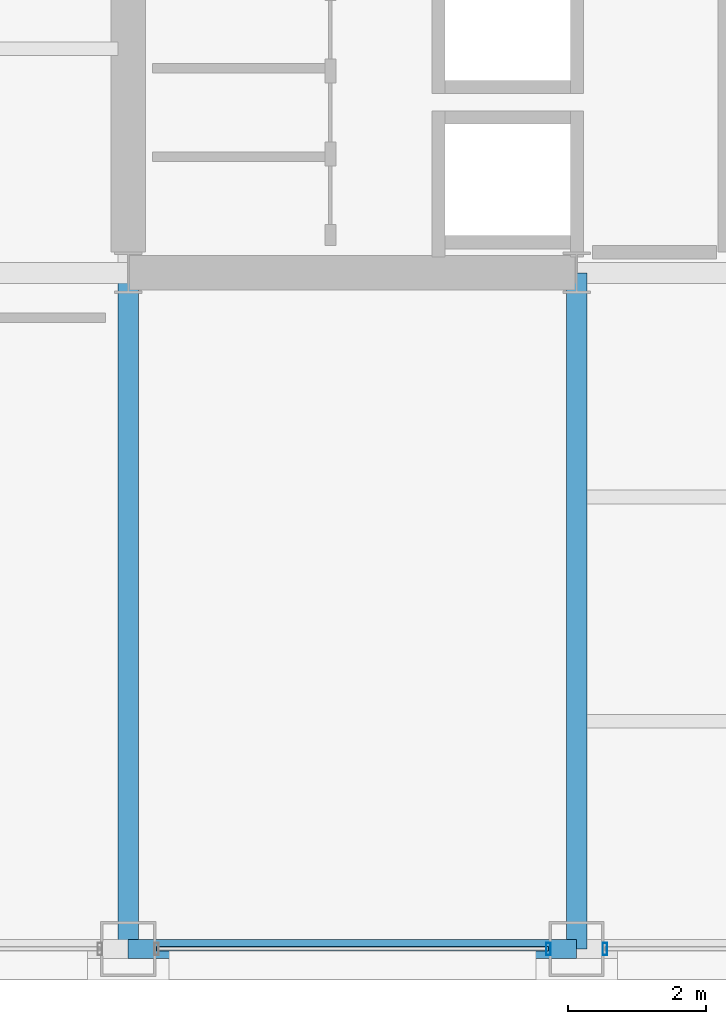
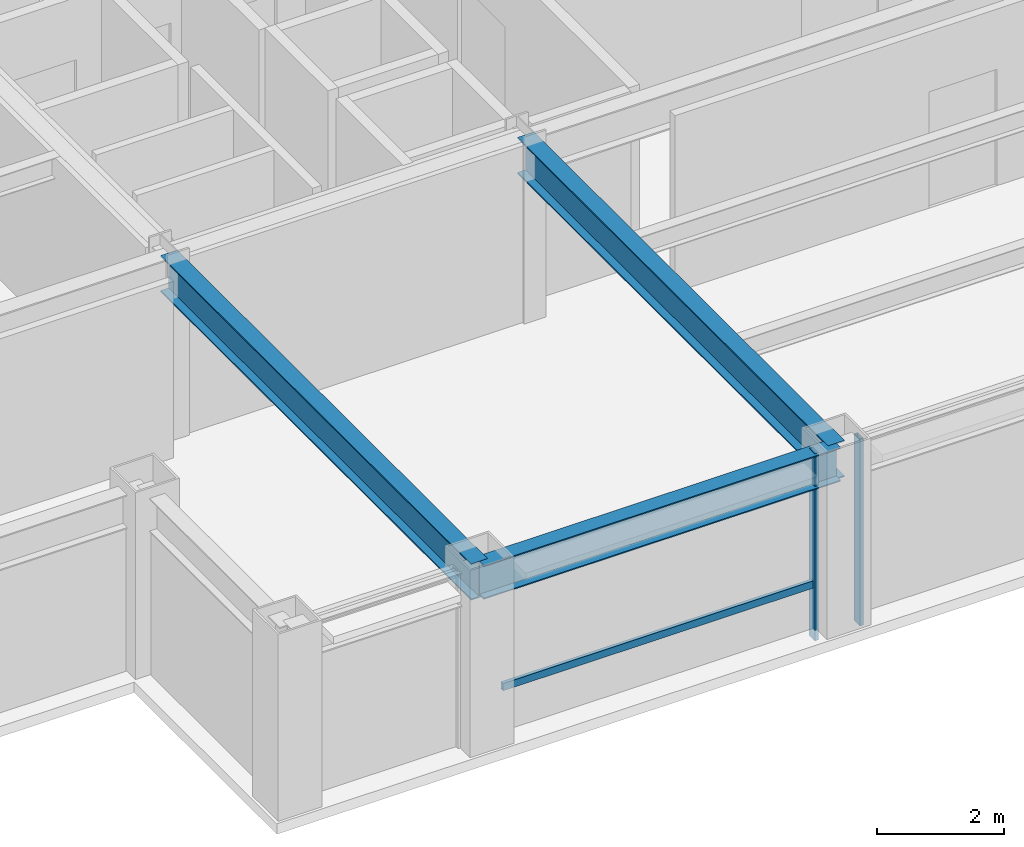
# One storey, part 3 of 29: 3 beams, 3 members, 2 elements without a shape of their own.
"""IFC4 building model written with IfcOpenShell, lengths in metres."""

from ifc_helpers import new_model, si_unit, direction, frame, origin, origin_2d, place, context, subcontext, project, spatial, hollow_rectangle, i_section, extrude, material, layer, layer_set, material_profile, profile_set, type_object, element, aggregate, save


model = new_model("IFC4")

# Units and contexts
model_context = context("Model", 3, precision=1e-05, world=origin(), true_north=direction((0.0, 1.0)))
body_context = subcontext(model_context, "Body", "Model", "MODEL_VIEW")
ifc_project = project(units=[si_unit("LENGTHUNIT", "METRE"), si_unit("AREAUNIT", "SQUARE_METRE"), si_unit("VOLUMEUNIT", "CUBIC_METRE"), si_unit("PLANEANGLEUNIT", "RADIAN"), si_unit("MASSUNIT", "GRAM", prefix="KILO")], contexts=[model_context])

# Site, building, storey
site_placement = place(None, origin())
site = spatial("IfcSite", under=ifc_project, at=site_placement, CompositionType="ELEMENT")
building_placement = place(site_placement, origin())
building = spatial("IfcBuilding", under=site, at=building_placement, Name="Brelmoor Portico Tower", CompositionType="ELEMENT")
storey_placement = place(building_placement, frame((0.0, 0.0, 135.0)))
storey = spatial("IfcBuildingStorey", under=building, at=storey_placement, Name="L35", CompositionType="ELEMENT", Elevation=135.0)

# Beams
ifc_material_1 = material(Name="Steel Q355B", Category="steel")
ifc_material_profile_1 = material_profile(ifc_material_1, i_section(OverallWidth=0.300048828125, OverallDepth=0.699951171875, WebThickness=0.012939453125, FlangeThickness=0.02392578125, at=origin_2d()), Name="HN 700x300x13x24")
ifc_profile_set_1 = profile_set([ifc_material_profile_1], Name="Steel Q355B")
beam_type_1 = type_object("IfcBeamType", Name="BM-PG-700", PredefinedType="BEAM", material=ifc_profile_set_1)
for number, where, z_axis, x_axis, name in (
    (1, (-14.550048828125, -19.550048828125, 3.050048828125), (0.0, 1.0, 0.0), (-1.0, 0.0, 0.0), "L35 Primary Floor Girder PG-01"),
    (2, (-8.050048828125, -19.550048828125, 3.050048828125), (0.0, 1.0, 0.0), (-1.0, 0.0, 0.0), "L35 Primary Floor Girder PG-05"),
):
    element("IfcBeam", number, at=place(storey_placement, frame(where, z_axis=z_axis, x_axis=x_axis)), inside=storey, type_object=beam_type_1, Name=name, PredefinedType="BEAM", context=body_context, shape_type="SweptSolid", body=[
        extrude(i_section(OverallWidth=0.300048828125, OverallDepth=0.699951171875, WebThickness=0.012939453125, FlangeThickness=0.02392578125, at=origin_2d()), origin(), (0.0, 0.0, 1.0), 9.800048828125),
    ])
ifc_material_profile_2 = material_profile(ifc_material_1, i_section(OverallWidth=0.280029296875, OverallDepth=0.64990234375, WebThickness=0.012939453125, FlangeThickness=0.02197265625, at=origin_2d()), Name="HN 650x280x13x22")
ifc_profile_set_2 = profile_set([ifc_material_profile_2], Name="Steel Q355B")
beam_type_2 = type_object("IfcBeamType", Name="BM-SP-650", PredefinedType="SPANDREL", material=ifc_profile_set_2)
beam_placement = place(storey_placement, frame((-14.550048828125, -19.550048828125, 3.074951171875), z_axis=(1.0, 0.0, 0.0), x_axis=(0.0, 1.0, 0.0)))
element("IfcBeam", 3, at=beam_placement, inside=storey, type_object=beam_type_2, Name="L35 Perimeter Spandrel Beam SP-02", PredefinedType="SPANDREL", context=body_context, shape_type="SweptSolid", body=[
    extrude(i_section(OverallWidth=0.280029296875, OverallDepth=0.64990234375, WebThickness=0.012939453125, FlangeThickness=0.02197265625, at=origin_2d()), origin(), (0.0, 0.0, 1.0), 6.5),
])

# Curtain wall, member
ifc_material_2 = material(Name="Anodised Aluminium Alloy 6063-T6", Category="aluminium")
ifc_layer_1 = layer(ifc_material_2, 0.179931640625)
ifc_layer_set_1 = layer_set([ifc_layer_1], Name="Anodised Aluminium Alloy 6063-T6")
curtain_wall_type_1 = type_object("IfcCurtainWallType", Name="CW-TOWER-Z2", PredefinedType="NOTDEFINED", material=ifc_layer_set_1)
curtain_wall_1_placement = place(storey_placement, origin())
curtain_wall_1 = element("IfcCurtainWall", 4, at=curtain_wall_1_placement, inside=storey, type_object=curtain_wall_type_1, Name="L35 Curtain Wall CW-L35-01-2", PredefinedType="NOTDEFINED")
ifc_material_profile_3 = material_profile(ifc_material_2, hollow_rectangle(XDim=0.06494140625, YDim=0.179931640625, WallThickness=0.00390625, at=origin_2d()), Name="ALU MULLION 65x180")
ifc_profile_set_3 = profile_set([ifc_material_profile_3], Name="Anodised Aluminium Alloy 6063-T6")
member_type_1 = type_object("IfcMemberType", Name="MB-CW-MULL-180", PredefinedType="MULLION", material=ifc_profile_set_3)
member_1_placement = place(storey_placement, frame((-8.4599609375, -19.550048828125, -0.199951171875), z_axis=(0.0, 0.0, 1.0), x_axis=(1.0, 0.0, 0.0)))
member_1 = element("IfcMember", 5, at=member_1_placement, type_object=member_type_1, Name="CW-L35-01-2 Mullion 01", PredefinedType="MULLION", context=body_context, shape_type="SweptSolid", body=[
    extrude(hollow_rectangle(XDim=0.06494140625, YDim=0.179931640625, WallThickness=0.00390625, at=origin_2d()), origin(), (0.0, 0.0, 1.0), 3.599853515625),
])

ifc_layer_2 = layer(ifc_material_2, 0.179931640625)
ifc_layer_set_2 = layer_set([ifc_layer_2], Name="Anodised Aluminium Alloy 6063-T6")
curtain_wall_type_2 = type_object("IfcCurtainWallType", Name="CW-TOWER-Z2-XB", PredefinedType="NOTDEFINED", material=ifc_layer_set_2)
curtain_wall_2_placement = place(storey_placement, origin())
curtain_wall_2 = element("IfcCurtainWall", 6, at=curtain_wall_2_placement, inside=storey, type_object=curtain_wall_type_2, Name="L35 Curtain Wall CW-L35-01-3", PredefinedType="NOTDEFINED")
member_2_placement = place(storey_placement, frame((-7.639892578125, -19.550048828125, -0.199951171875), z_axis=(0.0, 0.0, 1.0), x_axis=(1.0, 0.0, 0.0)))
member_2 = element("IfcMember", 7, at=member_2_placement, type_object=member_type_1, Name="CW-L35-01-3 Mullion 00", PredefinedType="MULLION", context=body_context, shape_type="SweptSolid", body=[
    extrude(hollow_rectangle(XDim=0.06494140625, YDim=0.179931640625, WallThickness=0.00390625, at=origin_2d()), origin(), (0.0, 0.0, 1.0), 3.599853515625),
])
aggregate(curtain_wall_2, [member_2])

# Member
ifc_material_profile_4 = material_profile(ifc_material_2, hollow_rectangle(XDim=0.06494140625, YDim=0.139892578125, WallThickness=0.00390625, at=origin_2d()), Name="ALU TRANSOM 65x140")
ifc_profile_set_4 = profile_set([ifc_material_profile_4], Name="Anodised Aluminium Alloy 6063-T6")
member_type_2 = type_object("IfcMemberType", Name="MB-CW-TRAN-140", PredefinedType="USERDEFINED", material=ifc_profile_set_4)
member_3_placement = place(storey_placement, frame((-14.139892578125, -19.550048828125, 0.85009765625), z_axis=(1.0, 0.0, 0.0), x_axis=(0.0, 1.0, 0.0)))
member_3 = element("IfcMember", 8, at=member_3_placement, type_object=member_type_2, Name="CW-L35-01-2 Transom 1-00", ObjectType="TRANSOM", PredefinedType="USERDEFINED", context=body_context, shape_type="SweptSolid", body=[
    extrude(hollow_rectangle(XDim=0.06494140625, YDim=0.139892578125, WallThickness=0.00390625, at=origin_2d()), origin(), (0.0, 0.0, 1.0), 5.679931640625),
])

aggregate(curtain_wall_1, [member_1, member_3])

save(model, "model.ifc")
